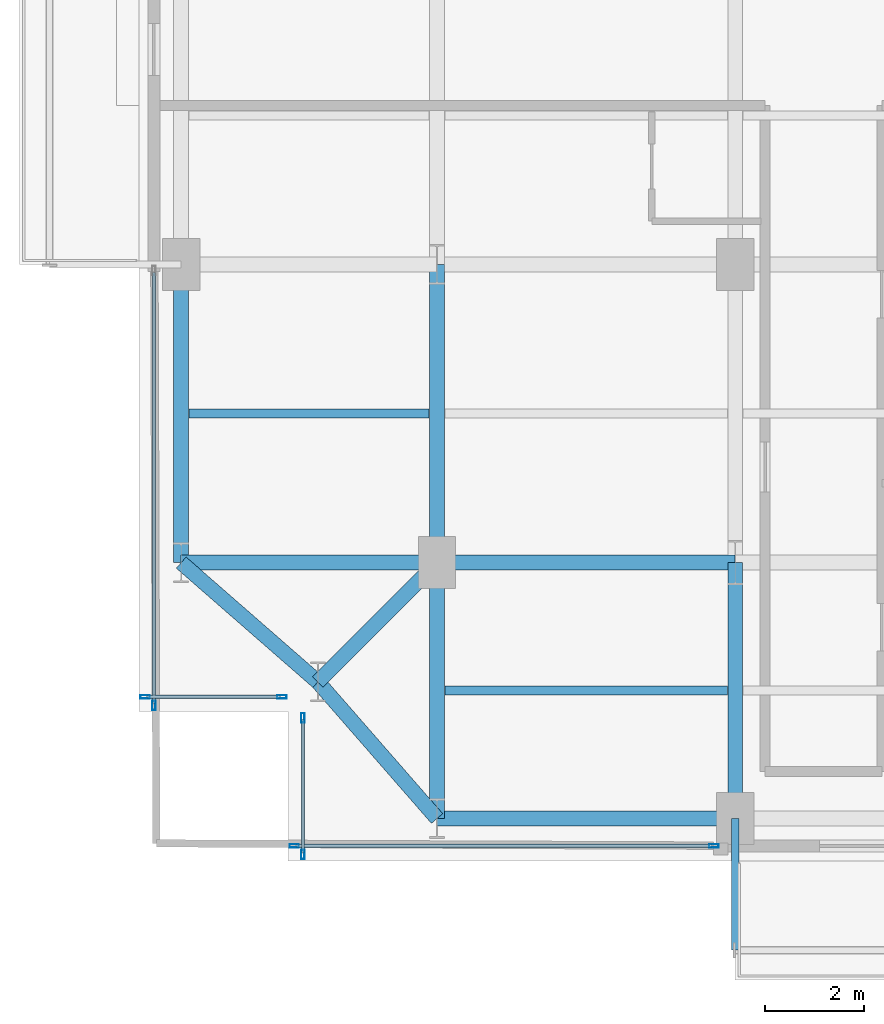
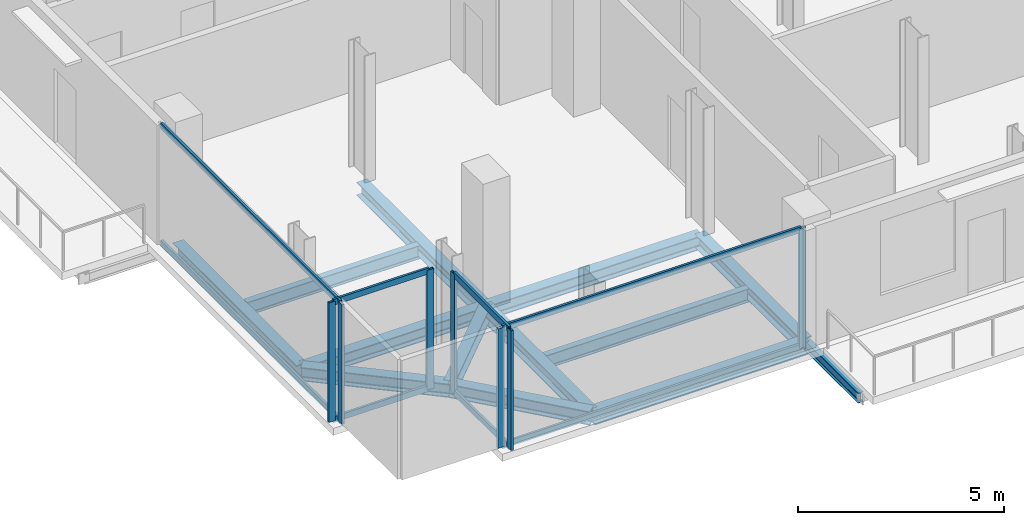
# One storey, part 2 of 21: 15 members, 13 beams, 4 elements without a shape of their own.
"""IFC4 building model written with IfcOpenShell, lengths in metres."""

from ifc_helpers import new_model, si_unit, direction, frame, origin, origin_2d, place, context, subcontext, project, spatial, hollow_rectangle, i_section, extrude, material, layer, layer_set, material_profile, profile_set, type_object, element, aggregate, save


model = new_model("IFC4")

# Units and contexts
model_context = context("Model", 3, precision=1e-05, world=origin(), true_north=direction((0.0, 1.0)))
body_context = subcontext(model_context, "Body", "Model", "MODEL_VIEW")
ifc_project = project(units=[si_unit("LENGTHUNIT", "METRE"), si_unit("AREAUNIT", "SQUARE_METRE"), si_unit("VOLUMEUNIT", "CUBIC_METRE"), si_unit("PLANEANGLEUNIT", "RADIAN"), si_unit("MASSUNIT", "GRAM", prefix="KILO"), si_unit("THERMODYNAMICTEMPERATUREUNIT", "KELVIN"), si_unit("POWERUNIT", "WATT")], contexts=[model_context])

# Site, building, storey
site_placement = place(None, origin())
site = spatial("IfcSite", under=ifc_project, at=site_placement, CompositionType="ELEMENT")
building_placement = place(site_placement, origin())
building = spatial("IfcBuilding", under=site, at=building_placement, Name="Svarakhadi Broadcast Tower", CompositionType="ELEMENT")
storey_placement = place(building_placement, frame((0.0, 0.0, 223.64990234375)))
storey = spatial("IfcBuildingStorey", under=building, at=storey_placement, Name="L55", CompositionType="ELEMENT", Elevation=223.64990234375)

# Beams
ifc_material_1 = material(Name="Steel S355J2 (IS 2062 E350C)", Category="steel")
ifc_material_profile_1 = material_profile(ifc_material_1, i_section(OverallWidth=0.179931640625, OverallDepth=0.39990234375, WebThickness=0.008544921875, FlangeThickness=0.013427734375, FilletRadius=0.02099609375, at=origin_2d()), Name="NPB 400x180x66")
ifc_profile_set_1 = profile_set([ifc_material_profile_1], Name="Steel S355J2 (IS 2062 E350C)")
beam_type_1 = type_object("IfcBeamType", Name="Beam_NPB400", PredefinedType="BEAM", material=ifc_profile_set_1)
beam_1_placement = place(storey_placement, frame((1.010009765625, 9.0, -0.409912109375), z_axis=(1.0, 0.0, 0.0), x_axis=(0.0, 1.0, 0.0)))
element("IfcBeam", 1, at=beam_1_placement, inside=storey, type_object=beam_type_1, Name="L55 Secondary Composite Beam SB001", PredefinedType="BEAM", context=body_context, shape_type="SweptSolid", body=[
    extrude(i_section(OverallWidth=0.179931640625, OverallDepth=0.39990234375, WebThickness=0.008544921875, FlangeThickness=0.013427734375, FilletRadius=0.02099609375, at=origin_2d()), origin(), (0.0, 0.0, 1.0), 4.830078125),
])
beam_2_placement = place(storey_placement, frame((6.159912109375, 3.425048828125, -0.409912109375), z_axis=(1.0, 0.0, 0.0), x_axis=(0.0, 1.0, 0.0)))
element("IfcBeam", 2, at=beam_2_placement, inside=storey, type_object=beam_type_1, Name="L55 Secondary Composite Beam SB005", PredefinedType="BEAM", context=body_context, shape_type="SweptSolid", body=[
    extrude(i_section(OverallWidth=0.179931640625, OverallDepth=0.39990234375, WebThickness=0.008544921875, FlangeThickness=0.013427734375, FilletRadius=0.02099609375, at=origin_2d()), origin(), (0.0, 0.0, 1.0), 5.68017578125),
])

# Curtain wall, members
ifc_material_2 = material(Name="Anodised Bronze Aluminium AA 6063-T6", Category="aluminium")
ifc_layer = layer(ifc_material_2, 0.18994140625)
ifc_layer_set = layer_set([ifc_layer], Name="Anodised Bronze Aluminium AA 6063-T6")
curtain_wall_type = type_object("IfcCurtainWallType", Name="CW_Sys_04", PredefinedType="NOTDEFINED", material=ifc_layer_set)
curtain_wall_1_placement = place(storey_placement, origin())
curtain_wall_1 = element("IfcCurtainWall", 3, at=curtain_wall_1_placement, inside=storey, type_object=curtain_wall_type, Name="L55 Unitised Facade Curtain Wall 01", PredefinedType="NOTDEFINED")
ifc_material_profile_2 = material_profile(ifc_material_2, hollow_rectangle(XDim=0.070068359375, YDim=0.18994140625, WallThickness=0.005615234375, at=origin_2d()), Name="ALU MULLION 190x70x6")
ifc_profile_set_2 = profile_set([ifc_material_profile_2], Name="Anodised Bronze Aluminium AA 6063-T6")
member_type_1 = type_object("IfcMemberType", Name="CW_Sys_04_Mul", PredefinedType="MULLION", material=ifc_profile_set_2)
member_1_placement = place(storey_placement, frame((2.875, 3.300048828125, 0.0), z_axis=(0.0, 0.0, 1.0), x_axis=(0.0, -1.0, 0.0)))
member_1 = element("IfcMember", 4, at=member_1_placement, type_object=member_type_1, Name="CW-04 mullion 1", PredefinedType="MULLION", context=body_context, shape_type="SweptSolid", body=[
    extrude(hollow_rectangle(XDim=0.070068359375, YDim=0.18994140625, WallThickness=0.005615234375, at=origin_2d()), origin(), (0.0, 0.0, 1.0), 3.5400390625),
])
member_2_placement = place(storey_placement, frame((0.125, 3.300048828125, 0.0), z_axis=(0.0, 0.0, 1.0), x_axis=(0.0, -1.0, 0.0)))
member_2 = element("IfcMember", 5, at=member_2_placement, type_object=member_type_1, Name="CW-04 mullion 2", PredefinedType="MULLION", context=body_context, shape_type="SweptSolid", body=[
    extrude(hollow_rectangle(XDim=0.070068359375, YDim=0.18994140625, WallThickness=0.005615234375, at=origin_2d()), origin(), (0.0, 0.0, 1.0), 3.5400390625),
])

# Curtain wall, member
curtain_wall_2_placement = place(storey_placement, origin())
curtain_wall_2 = element("IfcCurtainWall", 6, at=curtain_wall_2_placement, inside=storey, type_object=curtain_wall_type, Name="L55 West Curtain Wall 02", PredefinedType="NOTDEFINED")
member_3_placement = place(storey_placement, frame((0.300048828125, 3.125, 0.0), z_axis=(0.0, 0.0, 1.0), x_axis=(-1.0, 0.0, 0.0)))
member_3 = element("IfcMember", 7, at=member_3_placement, type_object=member_type_1, Name="CW-04 mullion 1", PredefinedType="MULLION", context=body_context, shape_type="SweptSolid", body=[
    extrude(hollow_rectangle(XDim=0.070068359375, YDim=0.18994140625, WallThickness=0.005615234375, at=origin_2d()), origin(), (0.0, 0.0, 1.0), 3.5400390625),
])

# Curtain wall, members
curtain_wall_3_placement = place(storey_placement, origin())
curtain_wall_3 = element("IfcCurtainWall", 8, at=curtain_wall_3_placement, inside=storey, type_object=curtain_wall_type, Name="L55 South Curtain Wall 17", PredefinedType="NOTDEFINED")
member_4_placement = place(storey_placement, frame((11.570068359375, 0.300048828125, 0.0), z_axis=(0.0, 0.0, 1.0), x_axis=(0.0, -1.0, 0.0)))
member_4 = element("IfcMember", 9, at=member_4_placement, type_object=member_type_1, Name="CW-04 mullion 1", PredefinedType="MULLION", context=body_context, shape_type="SweptSolid", body=[
    extrude(hollow_rectangle(XDim=0.070068359375, YDim=0.18994140625, WallThickness=0.005615234375, at=origin_2d()), origin(), (0.0, 0.0, 1.0), 3.5400390625),
])
member_5_placement = place(storey_placement, frame((3.125, 0.300048828125, 0.0), z_axis=(0.0, 0.0, 1.0), x_axis=(0.0, -1.0, 0.0)))
member_5 = element("IfcMember", 10, at=member_5_placement, type_object=member_type_1, Name="CW-04 mullion 2", PredefinedType="MULLION", context=body_context, shape_type="SweptSolid", body=[
    extrude(hollow_rectangle(XDim=0.070068359375, YDim=0.18994140625, WallThickness=0.005615234375, at=origin_2d()), origin(), (0.0, 0.0, 1.0), 3.5400390625),
])

curtain_wall_4_placement = place(storey_placement, origin())
curtain_wall_4 = element("IfcCurtainWall", 11, at=curtain_wall_4_placement, inside=storey, type_object=curtain_wall_type, Name="L55 Unitised Facade Curtain Wall 18", PredefinedType="NOTDEFINED")
member_6_placement = place(storey_placement, frame((3.300048828125, 0.125, 0.0), z_axis=(0.0, 0.0, 1.0), x_axis=(-1.0, 0.0, 0.0)))
member_6 = element("IfcMember", 12, at=member_6_placement, type_object=member_type_1, Name="CW-04 mullion 1", PredefinedType="MULLION", context=body_context, shape_type="SweptSolid", body=[
    extrude(hollow_rectangle(XDim=0.070068359375, YDim=0.18994140625, WallThickness=0.005615234375, at=origin_2d()), origin(), (0.0, 0.0, 1.0), 3.5400390625),
])
member_7_placement = place(storey_placement, frame((3.300048828125, 2.875, 0.0), z_axis=(0.0, 0.0, 1.0), x_axis=(-1.0, 0.0, 0.0)))
member_7 = element("IfcMember", 13, at=member_7_placement, type_object=member_type_1, Name="CW-04 mullion 2", PredefinedType="MULLION", context=body_context, shape_type="SweptSolid", body=[
    extrude(hollow_rectangle(XDim=0.070068359375, YDim=0.18994140625, WallThickness=0.005615234375, at=origin_2d()), origin(), (0.0, 0.0, 1.0), 3.5400390625),
])

# Member
ifc_material_profile_3 = material_profile(ifc_material_2, hollow_rectangle(XDim=0.06494140625, YDim=0.175048828125, WallThickness=0.0048828125, at=origin_2d()), Name="ALU TRANSOM 175x65x5")
ifc_profile_set_3 = profile_set([ifc_material_profile_3], Name="Anodised Bronze Aluminium AA 6063-T6")
member_type_2 = type_object("IfcMemberType", Name="CW_Sys_04_Trn", PredefinedType="USERDEFINED", material=ifc_profile_set_3)
member_8_placement = place(storey_placement, frame((2.840087890625, 3.300048828125, 0.03271484375), z_axis=(-1.0, 0.0, 0.0), x_axis=(0.0, -1.0, 0.0)))
member_8 = element("IfcMember", 14, at=member_8_placement, type_object=member_type_2, Name="CW-04 transom 1.1", ObjectType="TRANSOM", PredefinedType="USERDEFINED", context=body_context, shape_type="SweptSolid", body=[
    extrude(hollow_rectangle(XDim=0.06494140625, YDim=0.175048828125, WallThickness=0.0048828125, at=origin_2d()), origin(), (0.0, 0.0, 1.0), 2.68017578125),
])

member_9_placement = place(storey_placement, frame((2.840087890625, 3.300048828125, 3.507568359375), z_axis=(-1.0, 0.0, 0.0), x_axis=(0.0, -1.0, 0.0)))
member_9 = element("IfcMember", 15, at=member_9_placement, type_object=member_type_2, Name="CW-04 transom 1.2", ObjectType="TRANSOM", PredefinedType="USERDEFINED", context=body_context, shape_type="SweptSolid", body=[
    extrude(hollow_rectangle(XDim=0.06494140625, YDim=0.175048828125, WallThickness=0.0048828125, at=origin_2d()), origin(), (0.0, 0.0, 1.0), 2.68017578125),
])

aggregate(curtain_wall_1, [member_1, member_2, member_8, member_9])

member_10_placement = place(storey_placement, frame((0.300048828125, 3.159912109375, 0.03271484375), z_axis=(0.0, 1.0, 0.0), x_axis=(-1.0, 0.0, 0.0)))
member_10 = element("IfcMember", 16, at=member_10_placement, type_object=member_type_2, Name="CW-04 transom 1.1", ObjectType="TRANSOM", PredefinedType="USERDEFINED", context=body_context, shape_type="SweptSolid", body=[
    extrude(hollow_rectangle(XDim=0.06494140625, YDim=0.175048828125, WallThickness=0.0048828125, at=origin_2d()), origin(), (0.0, 0.0, 1.0), 8.68017578125),
])

member_11_placement = place(storey_placement, frame((0.300048828125, 3.159912109375, 3.507568359375), z_axis=(0.0, 1.0, 0.0), x_axis=(-1.0, 0.0, 0.0)))
member_11 = element("IfcMember", 17, at=member_11_placement, type_object=member_type_2, Name="CW-04 transom 1.2", ObjectType="TRANSOM", PredefinedType="USERDEFINED", context=body_context, shape_type="SweptSolid", body=[
    extrude(hollow_rectangle(XDim=0.06494140625, YDim=0.175048828125, WallThickness=0.0048828125, at=origin_2d()), origin(), (0.0, 0.0, 1.0), 8.68017578125),
])

aggregate(curtain_wall_2, [member_3, member_10, member_11])

member_12_placement = place(storey_placement, frame((11.534912109375, 0.300048828125, 0.03271484375), z_axis=(-1.0, 0.0, 0.0), x_axis=(0.0, -1.0, 0.0)))
member_12 = element("IfcMember", 18, at=member_12_placement, type_object=member_type_2, Name="CW-04 transom 1.1", ObjectType="TRANSOM", PredefinedType="USERDEFINED", context=body_context, shape_type="SweptSolid", body=[
    extrude(hollow_rectangle(XDim=0.06494140625, YDim=0.175048828125, WallThickness=0.0048828125, at=origin_2d()), origin(), (0.0, 0.0, 1.0), 8.375),
])

member_13_placement = place(storey_placement, frame((11.534912109375, 0.300048828125, 3.507568359375), z_axis=(-1.0, 0.0, 0.0), x_axis=(0.0, -1.0, 0.0)))
member_13 = element("IfcMember", 19, at=member_13_placement, type_object=member_type_2, Name="CW-04 transom 1.2", ObjectType="TRANSOM", PredefinedType="USERDEFINED", context=body_context, shape_type="SweptSolid", body=[
    extrude(hollow_rectangle(XDim=0.06494140625, YDim=0.175048828125, WallThickness=0.0048828125, at=origin_2d()), origin(), (0.0, 0.0, 1.0), 8.375),
])

aggregate(curtain_wall_3, [member_4, member_5, member_12, member_13])

member_14_placement = place(storey_placement, frame((3.300048828125, 0.159912109375, 0.03271484375), z_axis=(0.0, 1.0, 0.0), x_axis=(-1.0, 0.0, 0.0)))
member_14 = element("IfcMember", 20, at=member_14_placement, type_object=member_type_2, Name="CW-04 transom 1.1", ObjectType="TRANSOM", PredefinedType="USERDEFINED", context=body_context, shape_type="SweptSolid", body=[
    extrude(hollow_rectangle(XDim=0.06494140625, YDim=0.175048828125, WallThickness=0.0048828125, at=origin_2d()), origin(), (0.0, 0.0, 1.0), 2.68017578125),
])

member_15_placement = place(storey_placement, frame((3.300048828125, 0.159912109375, 3.507568359375), z_axis=(0.0, 1.0, 0.0), x_axis=(-1.0, 0.0, 0.0)))
member_15 = element("IfcMember", 21, at=member_15_placement, type_object=member_type_2, Name="CW-04 transom 1.2", ObjectType="TRANSOM", PredefinedType="USERDEFINED", context=body_context, shape_type="SweptSolid", body=[
    extrude(hollow_rectangle(XDim=0.06494140625, YDim=0.175048828125, WallThickness=0.0048828125, at=origin_2d()), origin(), (0.0, 0.0, 1.0), 2.68017578125),
])

aggregate(curtain_wall_4, [member_6, member_7, member_14, member_15])

# Beams
ifc_material_profile_4 = material_profile(ifc_material_1, i_section(OverallWidth=0.300048828125, OverallDepth=0.39990234375, WebThickness=0.013427734375, FlangeThickness=0.02392578125, FilletRadius=0.027099609375, at=origin_2d()), Name="WPB 400x300x155")
ifc_profile_set_4 = profile_set([ifc_material_profile_4], Name="Steel S355J2 (IS 2062 E350C)")
beam_type_2 = type_object("IfcBeamType", Name="Girder_WPB400", PredefinedType="USERDEFINED", material=ifc_profile_set_4)
beam_3_placement = place(storey_placement, frame((3.60009765625, 3.60009765625, -0.409912109375), z_axis=(0.707106781187, 0.707106781187, 0.0), x_axis=(-0.707106781187, 0.707106781187, 0.0)))
element("IfcBeam", 22, at=beam_3_placement, inside=storey, type_object=beam_type_2, Name="L55 Corner Tie Girder G001", ObjectType="GIRDER", PredefinedType="USERDEFINED", context=body_context, shape_type="SweptSolid", body=[
    extrude(i_section(OverallWidth=0.300048828125, OverallDepth=0.39990234375, WebThickness=0.013427734375, FlangeThickness=0.02392578125, FilletRadius=0.027099609375, at=origin_2d()), origin(), (0.0, 0.0, 1.0), 3.39404296875),
])
for number, where, z_axis, x_axis, name in (
    (23, (3.60009765625, 3.60009765625, -0.409912109375), (-0.753437912176, 0.657519058655, 0.0), (-0.657519058655, -0.753437912176, 0.0), "L55 Corner Tie Girder G002"),
    (24, (3.60009765625, 3.60009765625, -0.409912109375), (0.657519058655, -0.753437912176, 0.0), (0.753437912176, 0.657519058655, 0.0), "L55 Corner Tie Girder G003"),
):
    element("IfcBeam", number, at=place(storey_placement, frame(where, z_axis=z_axis, x_axis=x_axis)), inside=storey, type_object=beam_type_2, Name=name, ObjectType="GIRDER", PredefinedType="USERDEFINED", context=body_context, shape_type="SweptSolid", body=[
        extrude(i_section(OverallWidth=0.300048828125, OverallDepth=0.39990234375, WebThickness=0.013427734375, FlangeThickness=0.02392578125, FilletRadius=0.027099609375, at=origin_2d()), origin(), (0.0, 0.0, 1.0), 3.64990234375),
    ])
beam_4_placement = place(storey_placement, frame((6.0, 0.85009765625, -0.409912109375), z_axis=(1.0, 0.0, 0.0), x_axis=(0.0, 1.0, 0.0)))
element("IfcBeam", 25, at=beam_4_placement, inside=storey, type_object=beam_type_2, Name="L55 Primary E-W Girder G004", ObjectType="GIRDER", PredefinedType="USERDEFINED", context=body_context, shape_type="SweptSolid", body=[
    extrude(i_section(OverallWidth=0.300048828125, OverallDepth=0.39990234375, WebThickness=0.013427734375, FlangeThickness=0.02392578125, FilletRadius=0.027099609375, at=origin_2d()), origin(), (0.0, 0.0, 1.0), 6.0),
])
beam_5_placement = place(storey_placement, frame((0.85009765625, 6.0, -0.409912109375), z_axis=(1.0, 0.0, 0.0), x_axis=(0.0, 1.0, 0.0)))
element("IfcBeam", 26, at=beam_5_placement, inside=storey, type_object=beam_type_2, Name="L55 Primary E-W Girder G009", ObjectType="GIRDER", PredefinedType="USERDEFINED", context=body_context, shape_type="SweptSolid", body=[
    extrude(i_section(OverallWidth=0.300048828125, OverallDepth=0.39990234375, WebThickness=0.013427734375, FlangeThickness=0.02392578125, FilletRadius=0.027099609375, at=origin_2d()), origin(), (0.0, 0.0, 1.0), 5.14990234375),
])
for number, where, z_axis, x_axis, name in (
    (27, (6.0, 6.0, -0.409912109375), (1.0, 0.0, 0.0), (0.0, 1.0, 0.0), "L55 Primary E-W Girder G010"),
    (28, (0.85009765625, 6.0, -0.409912109375), (0.0, 1.0, 0.0), (-1.0, 0.0, 0.0), "L55 Primary N-S Girder G033"),
):
    element("IfcBeam", number, at=place(storey_placement, frame(where, z_axis=z_axis, x_axis=x_axis)), inside=storey, type_object=beam_type_2, Name=name, ObjectType="GIRDER", PredefinedType="USERDEFINED", context=body_context, shape_type="SweptSolid", body=[
        extrude(i_section(OverallWidth=0.300048828125, OverallDepth=0.39990234375, WebThickness=0.013427734375, FlangeThickness=0.02392578125, FilletRadius=0.027099609375, at=origin_2d()), origin(), (0.0, 0.0, 1.0), 6.0),
    ])
beam_6_placement = place(storey_placement, frame((6.0, 0.85009765625, -0.409912109375), z_axis=(0.0, 1.0, 0.0), x_axis=(-1.0, 0.0, 0.0)))
element("IfcBeam", 29, at=beam_6_placement, inside=storey, type_object=beam_type_2, Name="L55 Primary N-S Girder G037", ObjectType="GIRDER", PredefinedType="USERDEFINED", context=body_context, shape_type="SweptSolid", body=[
    extrude(i_section(OverallWidth=0.300048828125, OverallDepth=0.39990234375, WebThickness=0.013427734375, FlangeThickness=0.02392578125, FilletRadius=0.027099609375, at=origin_2d()), origin(), (0.0, 0.0, 1.0), 5.14990234375),
])
beam_7_placement = place(storey_placement, frame((6.0, 6.0, -0.409912109375), z_axis=(0.0, 1.0, 0.0), x_axis=(-1.0, 0.0, 0.0)))
element("IfcBeam", 30, at=beam_7_placement, inside=storey, type_object=beam_type_2, Name="L55 Primary N-S Girder G038", ObjectType="GIRDER", PredefinedType="USERDEFINED", context=body_context, shape_type="SweptSolid", body=[
    extrude(i_section(OverallWidth=0.300048828125, OverallDepth=0.39990234375, WebThickness=0.013427734375, FlangeThickness=0.02392578125, FilletRadius=0.027099609375, at=origin_2d()), origin(), (0.0, 0.0, 1.0), 6.0),
])
beam_8_placement = place(storey_placement, frame((12.0, 0.85009765625, -0.409912109375), z_axis=(0.0, 1.0, 0.0), x_axis=(-1.0, 0.0, 0.0)))
element("IfcBeam", 31, at=beam_8_placement, inside=storey, type_object=beam_type_2, Name="L55 Primary N-S Girder G042", ObjectType="GIRDER", PredefinedType="USERDEFINED", context=body_context, shape_type="SweptSolid", body=[
    extrude(i_section(OverallWidth=0.300048828125, OverallDepth=0.39990234375, WebThickness=0.013427734375, FlangeThickness=0.02392578125, FilletRadius=0.027099609375, at=origin_2d()), origin(), (0.0, 0.0, 1.0), 5.14990234375),
])
ifc_material_profile_5 = material_profile(ifc_material_1, i_section(OverallWidth=0.14990234375, OverallDepth=0.300048828125, WebThickness=0.007080078125, FlangeThickness=0.0107421875, FilletRadius=0.014892578125, at=origin_2d()), Name="NPB 300x150x37")
ifc_profile_set_5 = profile_set([ifc_material_profile_5], Name="Steel S355J2 (IS 2062 E350C)")
beam_type_3 = type_object("IfcBeamType", Name="Spandrel_NPB300", PredefinedType="SPANDREL", material=ifc_profile_set_5)
beam_9_placement = place(storey_placement, frame((12.0, 0.85009765625, -0.375), z_axis=(0.0, -1.0, 0.0), x_axis=(1.0, 0.0, 0.0)))
element("IfcBeam", 32, at=beam_9_placement, inside=storey, type_object=beam_type_3, Name="L55 Balcony Cantilever Bracket 1A", PredefinedType="SPANDREL", context=body_context, shape_type="SweptSolid", body=[
    extrude(i_section(OverallWidth=0.14990234375, OverallDepth=0.300048828125, WebThickness=0.007080078125, FlangeThickness=0.0107421875, FilletRadius=0.014892578125, at=origin_2d()), origin(), (0.0, 0.0, 1.0), 2.650146484375),
])

save(model, "model.ifc")
